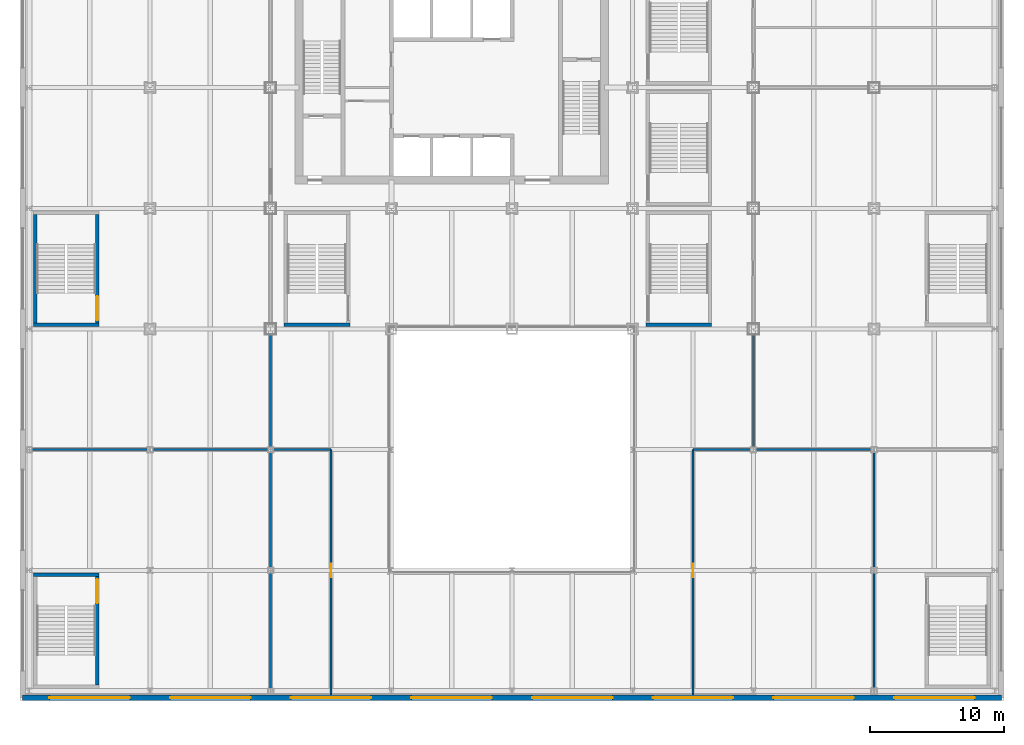
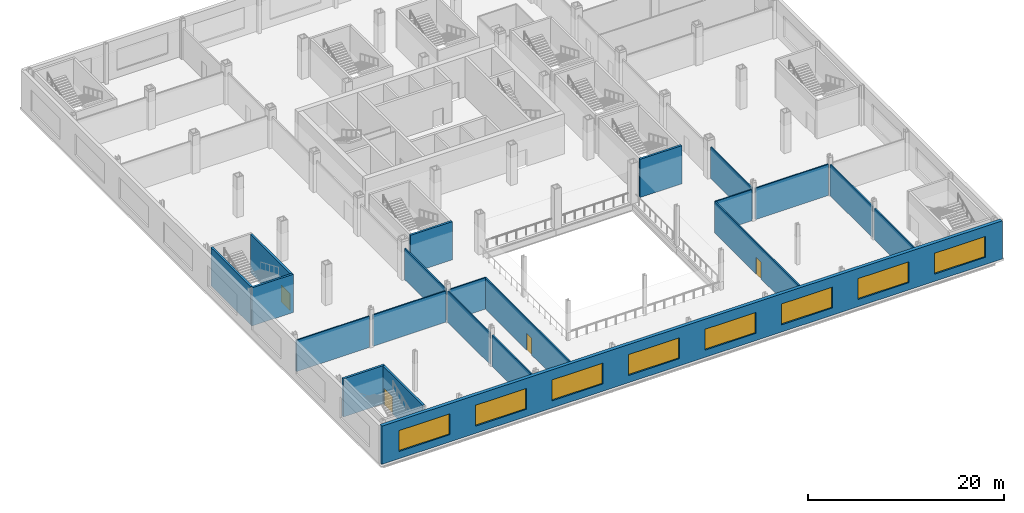
# One storey, part 11 of 31: 21 walls, 8 windows, 4 doors, 12 openings.
"""IFC4 building model written with IfcOpenShell, lengths in metres."""

from ifc_helpers import new_model, si_unit, direction, frame, frame_2d, origin, place, context, subcontext, project, spatial, rectangle, extrude, material, layer, layer_set, type_object, element, fill, save


model = new_model("IFC4")

# Units and contexts
model_context = context("Model", 3, precision=1e-05, world=origin(), true_north=direction((0.0, 1.0)))
body_context = subcontext(model_context, "Body", "Model", "MODEL_VIEW")
ifc_project = project(units=[si_unit("LENGTHUNIT", "METRE"), si_unit("AREAUNIT", "SQUARE_METRE"), si_unit("VOLUMEUNIT", "CUBIC_METRE"), si_unit("PLANEANGLEUNIT", "RADIAN"), si_unit("MASSUNIT", "GRAM", prefix="KILO")], contexts=[model_context])

# Site, building, storey
site_placement = place(None, origin())
site = spatial("IfcSite", under=ifc_project, at=site_placement, CompositionType="ELEMENT")
building_placement = place(site_placement, origin())
building = spatial("IfcBuilding", under=site, at=building_placement, Name="Loomwork Tower", CompositionType="ELEMENT")
storey_placement = place(building_placement, frame((0.0, 0.0, 11.0)))
storey = spatial("IfcBuildingStorey", under=building, at=storey_placement, Name="L02", CompositionType="ELEMENT", Elevation=11.0)

# Walls
ifc_material_1 = material(Name="Gypsum board on steel studs, one-hour", Category="steel")
ifc_layer_1 = layer(ifc_material_1, 0.14990234375)
ifc_layer_set_1 = layer_set([ifc_layer_1], Name="Partition 150")
wall_type_1 = type_object("IfcWallType", Name="Partition 150", PredefinedType="PARTITIONING", material=ifc_layer_set_1)
wall_1_placement = place(storey_placement, frame((-8.81201171875, -9.0, 0.0), z_axis=(0.0, 0.0, 1.0), x_axis=(1.0, 0.0, 0.0)))
element("IfcWall", 1, at=wall_1_placement, inside=storey, type_object=wall_type_1, Name="Partition L02 1.1", PredefinedType="PARTITIONING", context=body_context, shape_type="SweptSolid", body=[
    extrude(rectangle(XDim=8.615234375, YDim=0.14990234375, at=frame_2d((4.3076171875, 0.0))), origin(), (0.0, 0.0, 1.0), 3.8916015625),
])
wall_2_placement = place(storey_placement, frame((0.19677734375, -9.0, 0.0), z_axis=(0.0, 0.0, 1.0), x_axis=(1.0, 0.0, 0.0)))
element("IfcWall", 2, at=wall_2_placement, inside=storey, type_object=wall_type_1, Name="Partition L02 1.2", PredefinedType="PARTITIONING", context=body_context, shape_type="SweptSolid", body=[
    extrude(rectangle(XDim=8.6064453125, YDim=0.14990234375, at=frame_2d((4.30322265625, 0.0))), origin(), (0.0, 0.0, 1.0), 3.8916015625),
])
for number, where, z_axis, x_axis, name in (
    (3, (9.0, -9.18798828125, 0.0), (0.0, 0.0, 1.0), (0.0, -1.0, 0.0), "Partition L02 4.1"),
    (4, (9.0, -18.18798828125, 0.0), (0.0, 0.0, 1.0), (0.0, -1.0, 0.0), "Partition L02 4.2"),
):
    element("IfcWall", number, at=place(storey_placement, frame(where, z_axis=z_axis, x_axis=x_axis)), inside=storey, type_object=wall_type_1, Name=name, PredefinedType="PARTITIONING", context=body_context, shape_type="SweptSolid", body=[
        extrude(rectangle(XDim=8.6240234375, YDim=0.14990234375, at=frame_2d((4.31201171875, 0.0))), origin(), (0.0, 0.0, 1.0), 3.8916015625),
    ])
wall_3_placement = place(storey_placement, frame((9.19677734375, -9.0, 0.0), z_axis=(0.0, 0.0, 1.0), x_axis=(1.0, 0.0, 0.0)))
element("IfcWall", 5, at=wall_3_placement, inside=storey, type_object=wall_type_1, Name="Partition L02 5.1", PredefinedType="PARTITIONING", context=body_context, shape_type="SweptSolid", body=[
    extrude(rectangle(XDim=4.30322265625, YDim=0.14990234375, at=frame_2d((2.151611328125, 0.0))), origin(), (0.0, 0.0, 1.0), 3.8916015625),
])
wall_4_placement = place(storey_placement, frame((9.0, -0.39990234375, 0.0), z_axis=(0.0, 0.0, 1.0), x_axis=(0.0, -1.0, 0.0)))
element("IfcWall", 6, at=wall_4_placement, inside=storey, type_object=wall_type_1, Name="Partition L02 6.4", PredefinedType="PARTITIONING", context=body_context, shape_type="SweptSolid", body=[
    extrude(rectangle(XDim=8.412109375, YDim=0.14990234375, at=frame_2d((4.2060546875, 0.0))), origin(), (0.0, 0.0, 1.0), 3.8916015625),
])

# Wall, opening, door
wall_5_placement = place(storey_placement, frame((13.5, -9.0, 0.0), z_axis=(0.0, 0.0, 1.0), x_axis=(0.0, -1.0, 0.0)))
wall_5 = element("IfcWall", 7, at=wall_5_placement, inside=storey, type_object=wall_type_1, Name="Partition L02 9.1", PredefinedType="PARTITIONING", context=body_context, shape_type="SweptSolid", body=[
    extrude(rectangle(XDim=18.300048828125, YDim=0.14990234375, at=frame_2d((9.14990234375, 0.0))), origin(), (0.0, 0.0, 1.0), 3.89111328125),
])
opening_1_placement = place(wall_5_placement, frame((8.5, 0.0, 0.0)))
opening_1 = element("IfcOpeningElement", 8, at=opening_1_placement, cuts=wall_5, Name="Opening D7", PredefinedType="OPENING", context=body_context, shape_type="SweptSolid", body=[
    extrude(rectangle(XDim=1.0, YDim=2.10009765625, at=frame_2d((0.5, 1.050048828125))), frame((0.0, 0.0849609375, 0.0), z_axis=(0.0, -1.0, 0.0), x_axis=(1.0, 0.0, 0.0)), (0.0, 0.0, 1.0), 0.169921875),
])
ifc_material_2 = material(Name="Hollow metal door and frame")
door_type_1 = type_object("IfcDoorType", Name="Room door 1000", OperationType="SINGLE_SWING_LEFT", PredefinedType="DOOR", material=ifc_material_2)
door_1_placement = place(opening_1_placement, origin())
door_1 = element("IfcDoor", 9, at=door_1_placement, inside=storey, type_object=door_type_1, Name="Meeting room 202 door", OperationType="SINGLE_SWING_LEFT", OverallHeight=2.10009765625, OverallWidth=1.0, PredefinedType="DOOR", context=body_context, shape_type="SweptSolid", body=[
    extrude(rectangle(XDim=1.0, YDim=2.10009765625, at=frame_2d((0.5, 1.050048828125))), frame((0.0, 0.02490234375, 0.0), z_axis=(0.0, -1.0, 0.0), x_axis=(1.0, 0.0, 0.0)), (0.0, 0.0, 1.0), 0.050048828125),
])
fill(opening_1, door_1)

wall_6_placement = place(storey_placement, frame((40.5, -27.300048828125, 0.0), z_axis=(0.0, 0.0, 1.0), x_axis=(0.0, 1.0, 0.0)))
wall_6 = element("IfcWall", 10, at=wall_6_placement, inside=storey, type_object=wall_type_1, Name="Partition L02 13.1", PredefinedType="PARTITIONING", context=body_context, shape_type="SweptSolid", body=[
    extrude(rectangle(XDim=18.300048828125, YDim=0.14990234375, at=frame_2d((9.14990234375, 0.0))), origin(), (0.0, 0.0, 1.0), 3.89111328125),
])
opening_2_placement = place(wall_6_placement, frame((8.800048828125, 0.0, 0.0)))
opening_2 = element("IfcOpeningElement", 11, at=opening_2_placement, cuts=wall_6, Name="Opening D7", PredefinedType="OPENING", context=body_context, shape_type="SweptSolid", body=[
    extrude(rectangle(XDim=1.0, YDim=2.10009765625, at=frame_2d((0.5, 1.050048828125))), frame((0.0, 0.0849609375, 0.0), z_axis=(0.0, -1.0, 0.0), x_axis=(1.0, 0.0, 0.0)), (0.0, 0.0, 1.0), 0.169921875),
])
door_2_placement = place(opening_2_placement, origin())
door_2 = element("IfcDoor", 12, at=door_2_placement, inside=storey, type_object=door_type_1, Name="Meeting room 203 door", OperationType="SINGLE_SWING_RIGHT", OverallHeight=2.10009765625, OverallWidth=1.0, PredefinedType="DOOR", context=body_context, shape_type="SweptSolid", body=[
    extrude(rectangle(XDim=1.0, YDim=2.10009765625, at=frame_2d((0.5, 1.050048828125))), frame((0.0, 0.02490234375, 0.0), z_axis=(0.0, -1.0, 0.0), x_axis=(1.0, 0.0, 0.0)), (0.0, 0.0, 1.0), 0.050048828125),
])
fill(opening_2, door_2)

# Walls
wall_7_placement = place(storey_placement, frame((40.5, -9.0, 0.0), z_axis=(0.0, 0.0, 1.0), x_axis=(1.0, 0.0, 0.0)))
element("IfcWall", 13, at=wall_7_placement, inside=storey, type_object=wall_type_1, Name="Partition L02 14.1", PredefinedType="PARTITIONING", context=body_context, shape_type="SweptSolid", body=[
    extrude(rectangle(XDim=4.30322265625, YDim=0.14990234375, at=frame_2d((2.151611328125, 0.0))), origin(), (0.0, 0.0, 1.0), 3.8916015625),
])
wall_8_placement = place(storey_placement, frame((45.19677734375, -9.0, 0.0), z_axis=(0.0, 0.0, 1.0), x_axis=(1.0, 0.0, 0.0)))
element("IfcWall", 14, at=wall_8_placement, inside=storey, type_object=wall_type_1, Name="Partition L02 16.1", PredefinedType="PARTITIONING", context=body_context, shape_type="SweptSolid", body=[
    extrude(rectangle(XDim=8.6064453125, YDim=0.14990234375, at=frame_2d((4.30322265625, 0.0))), origin(), (0.0, 0.0, 1.0), 3.8916015625),
])
wall_9_placement = place(storey_placement, frame((45.0, -8.81201171875, 0.0), z_axis=(0.0, 0.0, 1.0), x_axis=(0.0, 1.0, 0.0)))
element("IfcWall", 15, at=wall_9_placement, inside=storey, type_object=wall_type_1, Name="Partition L02 17.1", PredefinedType="PARTITIONING", context=body_context, shape_type="SweptSolid", body=[
    extrude(rectangle(XDim=8.412109375, YDim=0.14990234375, at=frame_2d((4.2060546875, 0.0))), origin(), (0.0, 0.0, 1.0), 3.8916015625),
])
wall_10_placement = place(storey_placement, frame((54.0, -9.18798828125, 0.0), z_axis=(0.0, 0.0, 1.0), x_axis=(0.0, -1.0, 0.0)))
element("IfcWall", 16, at=wall_10_placement, inside=storey, type_object=wall_type_1, Name="Partition L02 24.1", PredefinedType="PARTITIONING", context=body_context, shape_type="SweptSolid", body=[
    extrude(rectangle(XDim=8.6240234375, YDim=0.14990234375, at=frame_2d((4.31201171875, 0.0))), origin(), (0.0, 0.0, 1.0), 3.8916015625),
])
wall_11_placement = place(storey_placement, frame((54.0, -18.18798828125, 0.0), z_axis=(0.0, 0.0, 1.0), x_axis=(0.0, -1.0, 0.0)))
element("IfcWall", 17, at=wall_11_placement, inside=storey, type_object=wall_type_1, Name="Partition L02 24.2", PredefinedType="PARTITIONING", context=body_context, shape_type="SweptSolid", body=[
    extrude(rectangle(XDim=8.599853515625, YDim=0.14990234375, at=frame_2d((4.2998046875, 0.0))), origin(), (0.0, 0.0, 1.0), 3.8916015625),
])

# Wall, openings, windows
ifc_material_3 = material(Name="Limestone on concrete masonry", Category="masonry")
ifc_layer_2 = layer(ifc_material_3, 0.39990234375)
ifc_layer_set_2 = layer_set([ifc_layer_2], Name="Podium limestone wall 400")
wall_type_2 = type_object("IfcWallType", Name="Podium limestone wall 400", PredefinedType="SOLIDWALL", material=ifc_layer_set_2)
wall_12_placement = place(storey_placement, frame((-9.5, -27.5, 0.0), z_axis=(0.0, 0.0, 1.0), x_axis=(1.0, 0.0, 0.0)))
wall_12 = element("IfcWall", 18, at=wall_12_placement, inside=storey, type_object=wall_type_2, Name="Podium stone wall S", PredefinedType="SOLIDWALL", context=body_context, shape_type="SweptSolid", body=[
    extrude(rectangle(XDim=73.0, YDim=0.39990234375, at=frame_2d((36.5, 0.0))), origin(), (0.0, 0.0, 1.0), 4.75),
])
opening_3_placement = place(wall_12_placement, frame((2.0, 0.0, 0.89990234375)))
opening_3 = element("IfcOpeningElement", 19, at=opening_3_placement, cuts=wall_12, Name="Opening CH3", PredefinedType="OPENING", context=body_context, shape_type="SweptSolid", body=[
    extrude(rectangle(XDim=6.0, YDim=2.60009765625, at=frame_2d((3.0, 1.300048828125))), frame((0.0, 0.2099609375, 0.0), z_axis=(0.0, -1.0, 0.0), x_axis=(1.0, 0.0, 0.0)), (0.0, 0.0, 1.0), 0.419921875),
])
opening_4_placement = place(wall_12_placement, frame((11.0, 0.0, 0.89990234375)))
opening_4 = element("IfcOpeningElement", 20, at=opening_4_placement, cuts=wall_12, Name="Opening CH3", PredefinedType="OPENING", context=body_context, shape_type="SweptSolid", body=[
    extrude(rectangle(XDim=6.0, YDim=2.60009765625, at=frame_2d((3.0, 1.300048828125))), frame((0.0, 0.2099609375, 0.0), z_axis=(0.0, -1.0, 0.0), x_axis=(1.0, 0.0, 0.0)), (0.0, 0.0, 1.0), 0.419921875),
])
opening_5_placement = place(wall_12_placement, frame((20.0, 0.0, 0.89990234375)))
opening_5 = element("IfcOpeningElement", 21, at=opening_5_placement, cuts=wall_12, Name="Opening CH3", PredefinedType="OPENING", context=body_context, shape_type="SweptSolid", body=[
    extrude(rectangle(XDim=6.0, YDim=2.60009765625, at=frame_2d((3.0, 1.300048828125))), frame((0.0, 0.2099609375, 0.0), z_axis=(0.0, -1.0, 0.0), x_axis=(1.0, 0.0, 0.0)), (0.0, 0.0, 1.0), 0.419921875),
])
opening_6_placement = place(wall_12_placement, frame((29.0, 0.0, 0.89990234375)))
opening_6 = element("IfcOpeningElement", 22, at=opening_6_placement, cuts=wall_12, Name="Opening CH3", PredefinedType="OPENING", context=body_context, shape_type="SweptSolid", body=[
    extrude(rectangle(XDim=6.0, YDim=2.60009765625, at=frame_2d((3.0, 1.300048828125))), frame((0.0, 0.2099609375, 0.0), z_axis=(0.0, -1.0, 0.0), x_axis=(1.0, 0.0, 0.0)), (0.0, 0.0, 1.0), 0.419921875),
])
opening_7_placement = place(wall_12_placement, frame((38.0, 0.0, 0.89990234375)))
opening_7 = element("IfcOpeningElement", 23, at=opening_7_placement, cuts=wall_12, Name="Opening CH3", PredefinedType="OPENING", context=body_context, shape_type="SweptSolid", body=[
    extrude(rectangle(XDim=6.0, YDim=2.60009765625, at=frame_2d((3.0, 1.300048828125))), frame((0.0, 0.2099609375, 0.0), z_axis=(0.0, -1.0, 0.0), x_axis=(1.0, 0.0, 0.0)), (0.0, 0.0, 1.0), 0.419921875),
])
opening_8_placement = place(wall_12_placement, frame((47.0, 0.0, 0.89990234375)))
opening_8 = element("IfcOpeningElement", 24, at=opening_8_placement, cuts=wall_12, Name="Opening CH3", PredefinedType="OPENING", context=body_context, shape_type="SweptSolid", body=[
    extrude(rectangle(XDim=6.0, YDim=2.60009765625, at=frame_2d((3.0, 1.300048828125))), frame((0.0, 0.2099609375, 0.0), z_axis=(0.0, -1.0, 0.0), x_axis=(1.0, 0.0, 0.0)), (0.0, 0.0, 1.0), 0.419921875),
])
opening_9_placement = place(wall_12_placement, frame((56.0, 0.0, 0.89990234375)))
opening_9 = element("IfcOpeningElement", 25, at=opening_9_placement, cuts=wall_12, Name="Opening CH3", PredefinedType="OPENING", context=body_context, shape_type="SweptSolid", body=[
    extrude(rectangle(XDim=6.0, YDim=2.60009765625, at=frame_2d((3.0, 1.300048828125))), frame((0.0, 0.2099609375, 0.0), z_axis=(0.0, -1.0, 0.0), x_axis=(1.0, 0.0, 0.0)), (0.0, 0.0, 1.0), 0.419921875),
])
opening_10_placement = place(wall_12_placement, frame((65.0, 0.0, 0.89990234375)))
opening_10 = element("IfcOpeningElement", 26, at=opening_10_placement, cuts=wall_12, Name="Opening CH3", PredefinedType="OPENING", context=body_context, shape_type="SweptSolid", body=[
    extrude(rectangle(XDim=6.0, YDim=2.60009765625, at=frame_2d((3.0, 1.300048828125))), frame((0.0, 0.2099609375, 0.0), z_axis=(0.0, -1.0, 0.0), x_axis=(1.0, 0.0, 0.0)), (0.0, 0.0, 1.0), 0.419921875),
])
ifc_material_4 = material(Name="Aluminium frame with clear insulated glass", Category="aluminium")
window_type = type_object("IfcWindowType", Name="Podium Chicago window 6000", PartitioningType="TRIPLE_PANEL_VERTICAL", PredefinedType="WINDOW", material=ifc_material_4)
window_1_placement = place(opening_3_placement, origin())
window_1 = element("IfcWindow", 27, at=window_1_placement, inside=storey, type_object=window_type, Name="Podium window S bay 1", OverallHeight=2.60009765625, OverallWidth=6.0, PartitioningType="TRIPLE_PANEL_VERTICAL", PredefinedType="WINDOW", context=body_context, shape_type="SweptSolid", body=[
    extrude(rectangle(XDim=6.0, YDim=2.60009765625, at=frame_2d((3.0, 1.300048828125))), frame((0.0, 0.030029296875, 0.0), z_axis=(0.0, -1.0, 0.0), x_axis=(1.0, 0.0, 0.0)), (0.0, 0.0, 1.0), 0.06005859375),
])
fill(opening_3, window_1)
window_2_placement = place(opening_4_placement, origin())
window_2 = element("IfcWindow", 28, at=window_2_placement, inside=storey, type_object=window_type, Name="Podium window S bay 2", OverallHeight=2.60009765625, OverallWidth=6.0, PartitioningType="TRIPLE_PANEL_VERTICAL", PredefinedType="WINDOW", context=body_context, shape_type="SweptSolid", body=[
    extrude(rectangle(XDim=6.0, YDim=2.60009765625, at=frame_2d((3.0, 1.300048828125))), frame((0.0, 0.030029296875, 0.0), z_axis=(0.0, -1.0, 0.0), x_axis=(1.0, 0.0, 0.0)), (0.0, 0.0, 1.0), 0.06005859375),
])
fill(opening_4, window_2)
window_3_placement = place(opening_5_placement, origin())
window_3 = element("IfcWindow", 29, at=window_3_placement, inside=storey, type_object=window_type, Name="Podium window S bay 3", OverallHeight=2.60009765625, OverallWidth=6.0, PartitioningType="TRIPLE_PANEL_VERTICAL", PredefinedType="WINDOW", context=body_context, shape_type="SweptSolid", body=[
    extrude(rectangle(XDim=6.0, YDim=2.60009765625, at=frame_2d((3.0, 1.300048828125))), frame((0.0, 0.030029296875, 0.0), z_axis=(0.0, -1.0, 0.0), x_axis=(1.0, 0.0, 0.0)), (0.0, 0.0, 1.0), 0.06005859375),
])
fill(opening_5, window_3)
window_4_placement = place(opening_6_placement, origin())
window_4 = element("IfcWindow", 30, at=window_4_placement, inside=storey, type_object=window_type, Name="Podium window S bay 4", OverallHeight=2.60009765625, OverallWidth=6.0, PartitioningType="TRIPLE_PANEL_VERTICAL", PredefinedType="WINDOW", context=body_context, shape_type="SweptSolid", body=[
    extrude(rectangle(XDim=6.0, YDim=2.60009765625, at=frame_2d((3.0, 1.300048828125))), frame((0.0, 0.030029296875, 0.0), z_axis=(0.0, -1.0, 0.0), x_axis=(1.0, 0.0, 0.0)), (0.0, 0.0, 1.0), 0.06005859375),
])
fill(opening_6, window_4)
window_5_placement = place(opening_7_placement, origin())
window_5 = element("IfcWindow", 31, at=window_5_placement, inside=storey, type_object=window_type, Name="Podium window S bay 5", OverallHeight=2.60009765625, OverallWidth=6.0, PartitioningType="TRIPLE_PANEL_VERTICAL", PredefinedType="WINDOW", context=body_context, shape_type="SweptSolid", body=[
    extrude(rectangle(XDim=6.0, YDim=2.60009765625, at=frame_2d((3.0, 1.300048828125))), frame((0.0, 0.030029296875, 0.0), z_axis=(0.0, -1.0, 0.0), x_axis=(1.0, 0.0, 0.0)), (0.0, 0.0, 1.0), 0.06005859375),
])
fill(opening_7, window_5)
window_6_placement = place(opening_8_placement, origin())
window_6 = element("IfcWindow", 32, at=window_6_placement, inside=storey, type_object=window_type, Name="Podium window S bay 6", OverallHeight=2.60009765625, OverallWidth=6.0, PartitioningType="TRIPLE_PANEL_VERTICAL", PredefinedType="WINDOW", context=body_context, shape_type="SweptSolid", body=[
    extrude(rectangle(XDim=6.0, YDim=2.60009765625, at=frame_2d((3.0, 1.300048828125))), frame((0.0, 0.030029296875, 0.0), z_axis=(0.0, -1.0, 0.0), x_axis=(1.0, 0.0, 0.0)), (0.0, 0.0, 1.0), 0.06005859375),
])
fill(opening_8, window_6)
window_7_placement = place(opening_9_placement, origin())
window_7 = element("IfcWindow", 33, at=window_7_placement, inside=storey, type_object=window_type, Name="Podium window S bay 7", OverallHeight=2.60009765625, OverallWidth=6.0, PartitioningType="TRIPLE_PANEL_VERTICAL", PredefinedType="WINDOW", context=body_context, shape_type="SweptSolid", body=[
    extrude(rectangle(XDim=6.0, YDim=2.60009765625, at=frame_2d((3.0, 1.300048828125))), frame((0.0, 0.030029296875, 0.0), z_axis=(0.0, -1.0, 0.0), x_axis=(1.0, 0.0, 0.0)), (0.0, 0.0, 1.0), 0.06005859375),
])
fill(opening_9, window_7)
window_8_placement = place(opening_10_placement, origin())
window_8 = element("IfcWindow", 34, at=window_8_placement, inside=storey, type_object=window_type, Name="Podium window S bay 8", OverallHeight=2.60009765625, OverallWidth=6.0, PartitioningType="TRIPLE_PANEL_VERTICAL", PredefinedType="WINDOW", context=body_context, shape_type="SweptSolid", body=[
    extrude(rectangle(XDim=6.0, YDim=2.60009765625, at=frame_2d((3.0, 1.300048828125))), frame((0.0, 0.030029296875, 0.0), z_axis=(0.0, -1.0, 0.0), x_axis=(1.0, 0.0, 0.0)), (0.0, 0.0, 1.0), 0.06005859375),
])
fill(opening_10, window_8)

# Wall
ifc_material_5 = material(Name="Concrete masonry, two-hour", Category="masonry")
ifc_layer_3 = layer(ifc_material_5, 0.25)
ifc_layer_set_3 = layer_set([ifc_layer_3], Name="Stair enclosure wall 250")
wall_type_3 = type_object("IfcWallType", Name="Stair enclosure wall 250", PredefinedType="SOLIDWALL", material=ifc_layer_set_3)
wall_13_placement = place(storey_placement, frame((-8.699951171875, -18.324951171875, 0.0), z_axis=(0.0, 0.0, 1.0), x_axis=(1.0, 0.0, 0.0)))
element("IfcWall", 35, at=wall_13_placement, inside=storey, type_object=wall_type_3, Name="Stair PS1 enclosure wall N L02", PredefinedType="SOLIDWALL", context=body_context, shape_type="SweptSolid", body=[
    extrude(rectangle(XDim=4.89990234375, YDim=0.25, at=frame_2d((2.449951171875, 0.0))), origin(), (0.0, 0.0, 1.0), 4.75),
])

# Wall, opening, door
wall_14_placement = place(storey_placement, frame((-3.925048828125, -26.550048828125, 0.0), z_axis=(0.0, 0.0, 1.0), x_axis=(0.0, 1.0, 0.0)))
wall_14 = element("IfcWall", 36, at=wall_14_placement, inside=storey, type_object=wall_type_3, Name="Stair PS1 enclosure wall E L02", PredefinedType="SOLIDWALL", context=body_context, shape_type="SweptSolid", body=[
    extrude(rectangle(XDim=8.10009765625, YDim=0.25, at=frame_2d((4.050048828125, 0.0))), origin(), (0.0, 0.0, 1.0), 4.75),
])
opening_11_placement = place(wall_14_placement, frame((6.10009765625, 0.0, 0.0)))
opening_11 = element("IfcOpeningElement", 37, at=opening_11_placement, cuts=wall_14, Name="Opening D14", PredefinedType="OPENING", context=body_context, shape_type="SweptSolid", body=[
    extrude(rectangle(XDim=1.800048828125, YDim=2.10009765625, at=frame_2d((0.89990234375, 1.050048828125))), frame((0.0, 0.135009765625, 0.0), z_axis=(0.0, -1.0, 0.0), x_axis=(1.0, 0.0, 0.0)), (0.0, 0.0, 1.0), 0.27001953125),
])
ifc_material_6 = material(Name="Hollow metal door and frame")
door_type_2 = type_object("IfcDoorType", Name="Stair double door 1800", OperationType="DOUBLE_DOOR_SINGLE_SWING", PredefinedType="DOOR", material=ifc_material_6)
door_3_placement = place(opening_11_placement, origin())
door_3 = element("IfcDoor", 38, at=door_3_placement, inside=storey, type_object=door_type_2, Name="Stair PS1 door L02", OperationType="DOUBLE_DOOR_SINGLE_SWING", OverallHeight=2.10009765625, OverallWidth=1.800048828125, PredefinedType="DOOR", context=body_context, shape_type="SweptSolid", body=[
    extrude(rectangle(XDim=1.800048828125, YDim=2.10009765625, at=frame_2d((0.89990234375, 1.050048828125))), frame((0.0, 0.02490234375, 0.0), z_axis=(0.0, -1.0, 0.0), x_axis=(1.0, 0.0, 0.0)), (0.0, 0.0, 1.0), 0.050048828125),
])
fill(opening_11, door_3)

# Walls
wall_15_placement = place(storey_placement, frame((-8.699951171875, 0.324951171875, 0.0), z_axis=(0.0, 0.0, 1.0), x_axis=(1.0, 0.0, 0.0)))
element("IfcWall", 39, at=wall_15_placement, inside=storey, type_object=wall_type_3, Name="Stair PS5 enclosure wall S L02", PredefinedType="SOLIDWALL", context=body_context, shape_type="SweptSolid", body=[
    extrude(rectangle(XDim=4.89990234375, YDim=0.25, at=frame_2d((2.449951171875, 0.0))), origin(), (0.0, 0.0, 1.0), 4.75),
])
wall_16_placement = place(storey_placement, frame((-8.574951171875, 0.449951171875, 0.0), z_axis=(0.0, 0.0, 1.0), x_axis=(0.0, 1.0, 0.0)))
element("IfcWall", 40, at=wall_16_placement, inside=storey, type_object=wall_type_3, Name="Stair PS5 enclosure wall W L02", PredefinedType="SOLIDWALL", context=body_context, shape_type="SweptSolid", body=[
    extrude(rectangle(XDim=8.10009765625, YDim=0.25, at=frame_2d((4.050048828125, 0.0))), origin(), (0.0, 0.0, 1.0), 4.75),
])

# Wall, opening, door
wall_17_placement = place(storey_placement, frame((-3.925048828125, 0.449951171875, 0.0), z_axis=(0.0, 0.0, 1.0), x_axis=(0.0, 1.0, 0.0)))
wall_17 = element("IfcWall", 41, at=wall_17_placement, inside=storey, type_object=wall_type_3, Name="Stair PS5 enclosure wall E L02", PredefinedType="SOLIDWALL", context=body_context, shape_type="SweptSolid", body=[
    extrude(rectangle(XDim=8.10009765625, YDim=0.25, at=frame_2d((4.050048828125, 0.0))), origin(), (0.0, 0.0, 1.0), 4.75),
])
opening_12_placement = place(wall_17_placement, frame((0.199951171875, 0.0, 0.0)))
opening_12 = element("IfcOpeningElement", 42, at=opening_12_placement, cuts=wall_17, Name="Opening D14", PredefinedType="OPENING", context=body_context, shape_type="SweptSolid", body=[
    extrude(rectangle(XDim=1.800048828125, YDim=2.10009765625, at=frame_2d((0.89990234375, 1.050048828125))), frame((0.0, 0.135009765625, 0.0), z_axis=(0.0, -1.0, 0.0), x_axis=(1.0, 0.0, 0.0)), (0.0, 0.0, 1.0), 0.27001953125),
])
door_4_placement = place(opening_12_placement, origin())
door_4 = element("IfcDoor", 43, at=door_4_placement, inside=storey, type_object=door_type_2, Name="Stair PS5 door L02", OperationType="DOUBLE_DOOR_SINGLE_SWING", OverallHeight=2.10009765625, OverallWidth=1.800048828125, PredefinedType="DOOR", context=body_context, shape_type="SweptSolid", body=[
    extrude(rectangle(XDim=1.800048828125, YDim=2.10009765625, at=frame_2d((0.89990234375, 1.050048828125))), frame((0.0, 0.02490234375, 0.0), z_axis=(0.0, -1.0, 0.0), x_axis=(1.0, 0.0, 0.0)), (0.0, 0.0, 1.0), 0.050048828125),
])
fill(opening_12, door_4)

# Walls
for number, where, z_axis, x_axis, name in (
    (44, (37.0, 0.324951171875, 0.0), (0.0, 0.0, 1.0), (1.0, 0.0, 0.0), "Stair PS7 enclosure wall S L02"),
    (45, (10.0, 0.324951171875, 0.0), (0.0, 0.0, 1.0), (1.0, 0.0, 0.0), "Stair PS12 enclosure wall S L02"),
):
    element("IfcWall", number, at=place(storey_placement, frame(where, z_axis=z_axis, x_axis=x_axis)), inside=storey, type_object=wall_type_3, Name=name, PredefinedType="SOLIDWALL", context=body_context, shape_type="SweptSolid", body=[
        extrude(rectangle(XDim=4.89990234375, YDim=0.25, at=frame_2d((2.449951171875, 0.0))), origin(), (0.0, 0.0, 1.0), 4.75),
    ])

save(model, "model.ifc")
